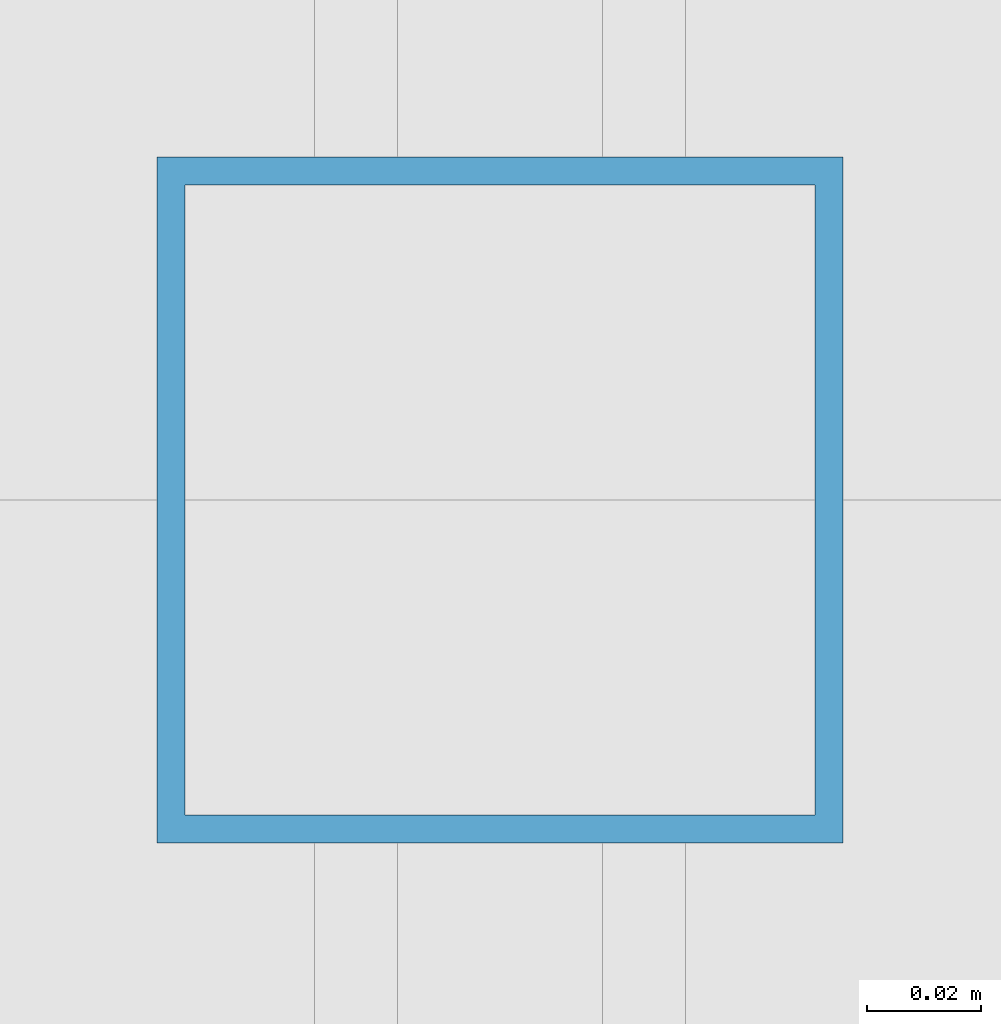
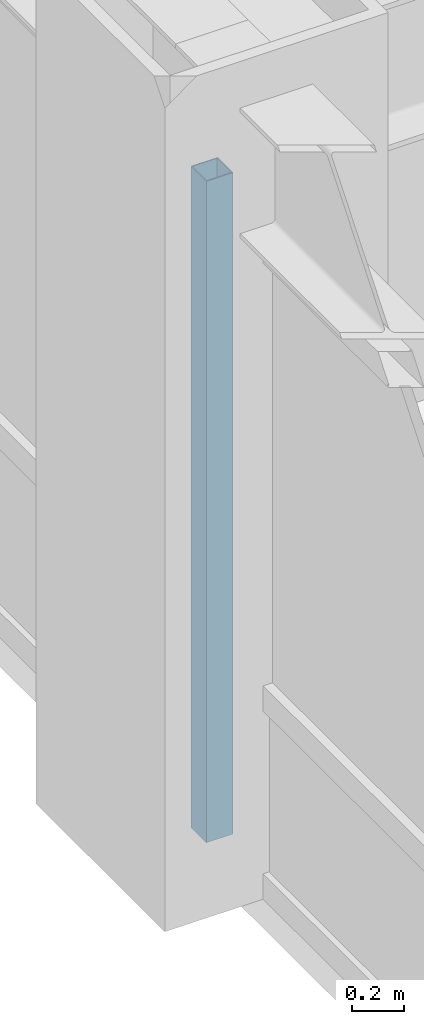
# One storey, part 6 of 25: 1 member, 1 element without a shape of its own.
"""IFC4 building model written with IfcOpenShell, lengths in metres."""

from ifc_helpers import new_model, si_unit, direction, frame, origin, origin_2d, place, context, subcontext, project, spatial, hollow_rectangle, extrude, source, transform, mapped, material, material_profile, profile_set, type_object, element, aggregate, save


model = new_model("IFC4")

# Units and contexts
model_context = context("Model", 3, precision=1e-05, world=origin(), true_north=direction((0.0, 1.0)))
body_context = subcontext(model_context, "Body", "Model", "MODEL_VIEW")
ifc_project = project(units=[si_unit("LENGTHUNIT", "METRE"), si_unit("AREAUNIT", "SQUARE_METRE"), si_unit("VOLUMEUNIT", "CUBIC_METRE"), si_unit("PLANEANGLEUNIT", "RADIAN"), si_unit("MASSUNIT", "GRAM", prefix="KILO")], contexts=[model_context])

# Site, building, storey
site_placement = place(None, origin())
site = spatial("IfcSite", under=ifc_project, at=site_placement, CompositionType="ELEMENT")
building_placement = place(site_placement, origin())
building = spatial("IfcBuilding", under=site, at=building_placement, Name="Khorayat Bourse Tower", CompositionType="ELEMENT")
storey_placement = place(building_placement, frame((0.0, 0.0, 255.10009765625)))
storey = spatial("IfcBuildingStorey", under=building, at=storey_placement, Name="L60", CompositionType="ELEMENT", Elevation=255.10009765625)

# Curtain wall, member
ifc_material = material(Name="Aluminium EN AW-6063 T6", Category="aluminium")
curtain_wall_type = type_object("IfcCurtainWallType", Name="CW-SYS-03", PredefinedType="NOTDEFINED", material=ifc_material)
curtain_wall_placement = place(storey_placement, origin())
curtain_wall = element("IfcCurtainWall", 1, at=curtain_wall_placement, inside=storey, type_object=curtain_wall_type, Name="L60 Curtain Wall CW-L60-W1", PredefinedType="NOTDEFINED")
ifc_material_profile = material_profile(ifc_material, hollow_rectangle(XDim=0.1201171875, YDim=0.1201171875, WallThickness=0.0048828125, at=origin_2d()), Name="ALU 120x120x5")
ifc_profile_set = profile_set([ifc_material_profile], Name="Aluminium EN AW-6063 T6")
member_type = type_object("IfcMemberType", Name="CWM-VERT-120", PredefinedType="MULLION", material=ifc_profile_set)
shared_shape = source(origin(), body_context, "Body", "SweptSolid", [
    extrude(hollow_rectangle(XDim=0.1201171875, YDim=0.1201171875, WallThickness=0.0048828125, at=origin_2d()), origin(), (0.0, 0.0, 1.0), 3.1298828125),
])
member_placement = place(storey_placement, frame((-30.0, 0.0, 0.0), z_axis=(0.0, 0.0, 1.0), x_axis=(-1.0, 0.0, 0.0)))
member = element("IfcMember", 2, at=member_placement, type_object=member_type, Name="CW-L60-W1 Vertical Mullion 2", PredefinedType="MULLION", context=body_context, shape_type="MappedRepresentation", body=[
    mapped(shared_shape, transform((0.0, 0.0, 0.0), scale=1.0)),
])
aggregate(curtain_wall, [member])

save(model, "model.ifc")
